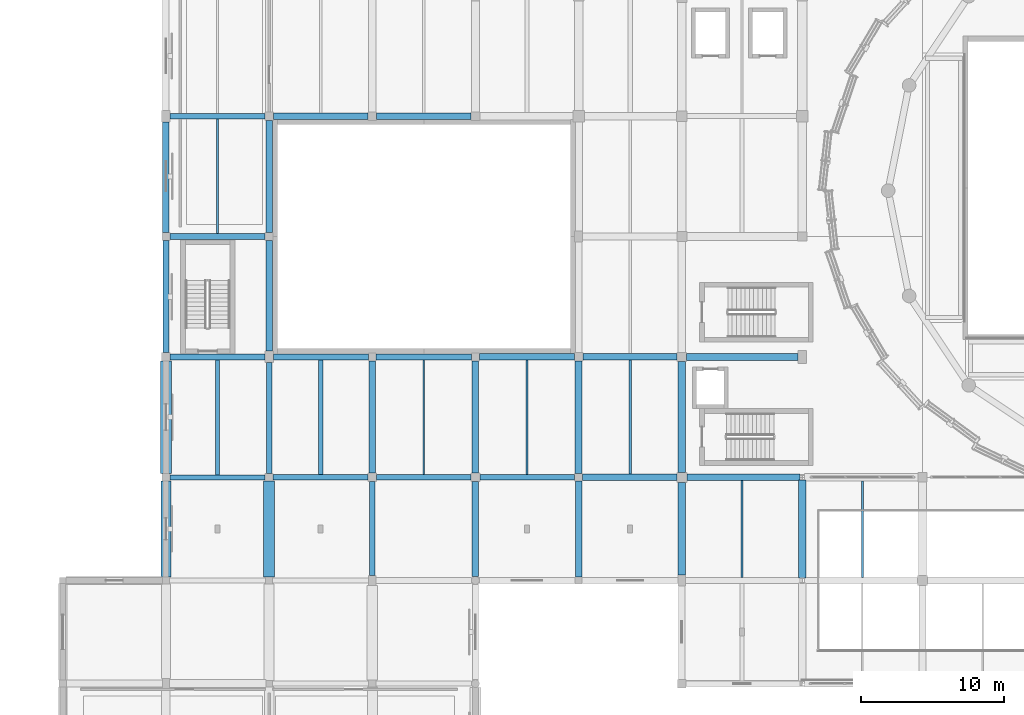
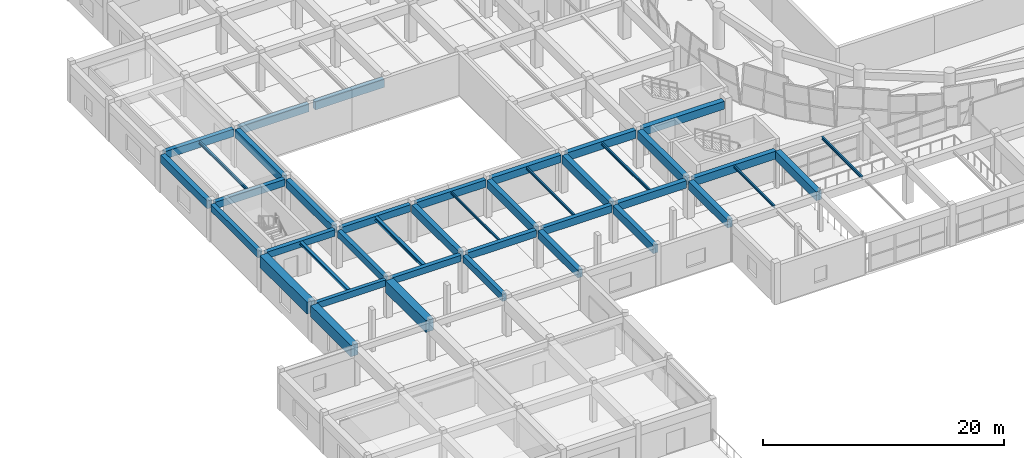
# One storey, part 12 of 71: 41 beams.
"""IFC4 building model written with IfcOpenShell, lengths in metres."""

from ifc_helpers import new_model, si_unit, direction, frame, origin, origin_2d, place, context, subcontext, project, spatial, rectangle, i_section, extrude, material, material_profile, profile_set, type_object, element, save


model = new_model("IFC4")

# Units and contexts
model_context = context("Model", 3, precision=1e-05, world=origin(), true_north=direction((0.0, 1.0)))
body_context = subcontext(model_context, "Body", "Model", "MODEL_VIEW")
ifc_project = project(units=[si_unit("LENGTHUNIT", "METRE"), si_unit("AREAUNIT", "SQUARE_METRE"), si_unit("VOLUMEUNIT", "CUBIC_METRE"), si_unit("PLANEANGLEUNIT", "RADIAN"), si_unit("MASSUNIT", "GRAM", prefix="KILO")], contexts=[model_context])

# Site, building, storey
site_placement = place(None, origin())
site = spatial("IfcSite", under=ifc_project, at=site_placement, CompositionType="ELEMENT")
building_placement = place(site_placement, origin())
building = spatial("IfcBuilding", under=site, at=building_placement, Name="Korsvaeld Concert Hall", CompositionType="ELEMENT")
storey_placement = place(building_placement, frame((0.0, 0.0, 4.800048828125)))
storey = spatial("IfcBuildingStorey", under=building, at=storey_placement, Name="L01", CompositionType="ELEMENT", Elevation=4.800048828125)

# Beams
ifc_material_1 = material(Name="Concrete C35/45", Category="concrete")
ifc_material_profile_1 = material_profile(ifc_material_1, rectangle(XDim=0.35009765625, YDim=0.64990234375, at=origin_2d()), Name="RC 350x650")
ifc_profile_set_1 = profile_set([ifc_material_profile_1], Name="Concrete C35/45")
beam_type_1 = type_object("IfcBeamType", Name="BM-RC-350x650", PredefinedType="T_BEAM", material=ifc_profile_set_1)
beam_1_placement = place(storey_placement, frame((14.675048828125, 43.199951171875, 3.514892578125), z_axis=(1.0, 0.0, 0.0), x_axis=(0.0, 1.0, 0.0)))
element("IfcBeam", 1, at=beam_1_placement, inside=storey, type_object=beam_type_1, Name="Primary girder 3-4/G L01", PredefinedType="T_BEAM", context=body_context, shape_type="SweptSolid", body=[
    extrude(rectangle(XDim=0.35009765625, YDim=0.64990234375, at=origin_2d()), origin(), (0.0, 0.0, 1.0), 6.64990234375),
])
ifc_material_profile_2 = material_profile(ifc_material_1, rectangle(XDim=0.39990234375, YDim=0.64990234375, at=origin_2d()), Name="RC 400x650")
ifc_profile_set_2 = profile_set([ifc_material_profile_2], Name="Concrete C35/45")
beam_type_2 = type_object("IfcBeamType", Name="BM-RC-400x650", PredefinedType="T_BEAM", material=ifc_profile_set_2)
beam_2_placement = place(storey_placement, frame((21.875, 43.199951171875, 3.514892578125), z_axis=(1.0, 0.0, 0.0), x_axis=(0.0, 1.0, 0.0)))
element("IfcBeam", 2, at=beam_2_placement, inside=storey, type_object=beam_type_2, Name="Primary girder 4-5/G L01", PredefinedType="T_BEAM", context=body_context, shape_type="SweptSolid", body=[
    extrude(rectangle(XDim=0.39990234375, YDim=0.64990234375, at=origin_2d()), origin(), (0.0, 0.0, 1.0), 6.625),
])
beam_3_placement = place(storey_placement, frame((14.699951171875, 51.60009765625, 3.514892578125), z_axis=(1.0, 0.0, 0.0), x_axis=(0.0, 1.0, 0.0)))
element("IfcBeam", 3, at=beam_3_placement, inside=storey, type_object=beam_type_2, Name="Primary girder 3-4/H L01", PredefinedType="T_BEAM", context=body_context, shape_type="SweptSolid", body=[
    extrude(rectangle(XDim=0.39990234375, YDim=0.64990234375, at=origin_2d()), origin(), (0.0, 0.0, 1.0), 6.60009765625),
])
ifc_material_profile_3 = material_profile(ifc_material_1, rectangle(XDim=0.39990234375, YDim=0.699951171875, at=origin_2d()), Name="RC 400x700")
ifc_profile_set_3 = profile_set([ifc_material_profile_3], Name="Concrete C35/45")
beam_type_3 = type_object("IfcBeamType", Name="BM-RC-400x700", PredefinedType="T_BEAM", material=ifc_profile_set_3)
beam_4_placement = place(storey_placement, frame((29.10009765625, 43.199951171875, 3.489990234375), z_axis=(1.0, 0.0, 0.0), x_axis=(0.0, 1.0, 0.0)))
element("IfcBeam", 4, at=beam_4_placement, inside=storey, type_object=beam_type_3, Name="Primary girder 5-6/G L01", PredefinedType="T_BEAM", context=body_context, shape_type="SweptSolid", body=[
    extrude(rectangle(XDim=0.39990234375, YDim=0.699951171875, at=origin_2d()), origin(), (0.0, 0.0, 1.0), 6.599853515625),
])
beam_5_placement = place(storey_placement, frame((21.89990234375, 51.60009765625, 3.489990234375), z_axis=(1.0, 0.0, 0.0), x_axis=(0.0, 1.0, 0.0)))
element("IfcBeam", 5, at=beam_5_placement, inside=storey, type_object=beam_type_3, Name="Primary girder 4-5/H L01", PredefinedType="T_BEAM", context=body_context, shape_type="SweptSolid", body=[
    extrude(rectangle(XDim=0.39990234375, YDim=0.699951171875, at=origin_2d()), origin(), (0.0, 0.0, 1.0), 6.625),
])
beam_6_placement = place(storey_placement, frame((14.675048828125, 60.0, 3.489990234375), z_axis=(1.0, 0.0, 0.0), x_axis=(0.0, 1.0, 0.0)))
element("IfcBeam", 6, at=beam_6_placement, inside=storey, type_object=beam_type_3, Name="Primary girder 3-4/J L01", PredefinedType="T_BEAM", context=body_context, shape_type="SweptSolid", body=[
    extrude(rectangle(XDim=0.39990234375, YDim=0.699951171875, at=origin_2d()), origin(), (0.0, 0.0, 1.0), 6.64990234375),
])
beam_7_placement = place(storey_placement, frame((14.39990234375, 51.89990234375, 3.489990234375), z_axis=(0.0, 1.0, 0.0), x_axis=(-1.0, 0.0, 0.0)))
element("IfcBeam", 7, at=beam_7_placement, inside=storey, type_object=beam_type_3, Name="Primary girder 3/H-J L01", PredefinedType="T_BEAM", context=body_context, shape_type="SweptSolid", body=[
    extrude(rectangle(XDim=0.39990234375, YDim=0.699951171875, at=origin_2d()), origin(), (0.0, 0.0, 1.0), 7.8251953125),
])
beam_8_placement = place(storey_placement, frame((21.60009765625, 43.47509765625, 3.489990234375), z_axis=(0.0, 1.0, 0.0), x_axis=(-1.0, 0.0, 0.0)))
element("IfcBeam", 8, at=beam_8_placement, inside=storey, type_object=beam_type_3, Name="Primary girder 4/G-H L01", PredefinedType="T_BEAM", context=body_context, shape_type="SweptSolid", body=[
    extrude(rectangle(XDim=0.39990234375, YDim=0.699951171875, at=origin_2d()), origin(), (0.0, 0.0, 1.0), 7.724853515625),
])
beam_9_placement = place(storey_placement, frame((28.800048828125, 36.35009765625, 3.489990234375), z_axis=(0.0, 1.0, 0.0), x_axis=(-1.0, 0.0, 0.0)))
element("IfcBeam", 9, at=beam_9_placement, inside=storey, type_object=beam_type_3, Name="Primary girder 5/F-G L01", PredefinedType="T_BEAM", context=body_context, shape_type="SweptSolid", body=[
    extrude(rectangle(XDim=0.39990234375, YDim=0.699951171875, at=origin_2d()), origin(), (0.0, 0.0, 1.0), 6.5498046875),
])
ifc_material_profile_4 = material_profile(ifc_material_1, rectangle(XDim=0.39990234375, YDim=0.75, at=origin_2d()), Name="RC 400x750")
ifc_profile_set_4 = profile_set([ifc_material_profile_4], Name="Concrete C35/45")
beam_type_4 = type_object("IfcBeamType", Name="BM-RC-400x750", PredefinedType="T_BEAM", material=ifc_profile_set_4)
beam_10_placement = place(storey_placement, frame((36.300048828125, 43.199951171875, 3.46484375), z_axis=(1.0, 0.0, 0.0), x_axis=(0.0, 1.0, 0.0)))
element("IfcBeam", 10, at=beam_10_placement, inside=storey, type_object=beam_type_4, Name="Primary girder 6-7/G L01", PredefinedType="T_BEAM", context=body_context, shape_type="SweptSolid", body=[
    extrude(rectangle(XDim=0.39990234375, YDim=0.75, at=origin_2d()), origin(), (0.0, 0.0, 1.0), 6.625),
])
beam_11_placement = place(storey_placement, frame((29.074951171875, 51.60009765625, 3.46484375), z_axis=(1.0, 0.0, 0.0), x_axis=(0.0, 1.0, 0.0)))
element("IfcBeam", 11, at=beam_11_placement, inside=storey, type_object=beam_type_4, Name="Primary girder 5-6/H L01", PredefinedType="T_BEAM", context=body_context, shape_type="SweptSolid", body=[
    extrude(rectangle(XDim=0.39990234375, YDim=0.75, at=origin_2d()), origin(), (0.0, 0.0, 1.0), 6.650146484375),
])
beam_12_placement = place(storey_placement, frame((14.699951171875, 68.39990234375, 3.46484375), z_axis=(1.0, 0.0, 0.0), x_axis=(0.0, 1.0, 0.0)))
element("IfcBeam", 12, at=beam_12_placement, inside=storey, type_object=beam_type_4, Name="Primary girder 3-4/K L01", PredefinedType="T_BEAM", context=body_context, shape_type="SweptSolid", body=[
    extrude(rectangle(XDim=0.39990234375, YDim=0.75, at=origin_2d()), origin(), (0.0, 0.0, 1.0), 6.60009765625),
])
ifc_material_profile_5 = material_profile(ifc_material_1, rectangle(XDim=0.449951171875, YDim=0.75, at=origin_2d()), Name="RC 450x750")
ifc_profile_set_5 = profile_set([ifc_material_profile_5], Name="Concrete C35/45")
beam_type_5 = type_object("IfcBeamType", Name="BM-RC-450x750", PredefinedType="T_BEAM", material=ifc_profile_set_5)
beam_13_placement = place(storey_placement, frame((43.47509765625, 43.199951171875, 3.46484375), z_axis=(1.0, 0.0, 0.0), x_axis=(0.0, 1.0, 0.0)))
element("IfcBeam", 13, at=beam_13_placement, inside=storey, type_object=beam_type_5, Name="Primary girder 7-8/G L01", PredefinedType="T_BEAM", context=body_context, shape_type="SweptSolid", body=[
    extrude(rectangle(XDim=0.449951171875, YDim=0.75, at=origin_2d()), origin(), (0.0, 0.0, 1.0), 6.574951171875),
])
beam_14_placement = place(storey_placement, frame((36.27490234375, 51.60009765625, 3.46484375), z_axis=(1.0, 0.0, 0.0), x_axis=(0.0, 1.0, 0.0)))
element("IfcBeam", 14, at=beam_14_placement, inside=storey, type_object=beam_type_5, Name="Primary girder 6-7/H L01", PredefinedType="T_BEAM", context=body_context, shape_type="SweptSolid", body=[
    extrude(rectangle(XDim=0.449951171875, YDim=0.75, at=origin_2d()), origin(), (0.0, 0.0, 1.0), 6.625),
])
beam_15_placement = place(storey_placement, frame((21.89990234375, 68.39990234375, 3.46484375), z_axis=(1.0, 0.0, 0.0), x_axis=(0.0, 1.0, 0.0)))
element("IfcBeam", 15, at=beam_15_placement, inside=storey, type_object=beam_type_5, Name="Primary girder 4-5/K L01", PredefinedType="T_BEAM", context=body_context, shape_type="SweptSolid", body=[
    extrude(rectangle(XDim=0.449951171875, YDim=0.75, at=origin_2d()), origin(), (0.0, 0.0, 1.0), 6.60009765625),
])
ifc_material_profile_6 = material_profile(ifc_material_1, rectangle(XDim=0.449951171875, YDim=0.800048828125, at=origin_2d()), Name="RC 450x800")
ifc_profile_set_6 = profile_set([ifc_material_profile_6], Name="Concrete C35/45")
beam_type_6 = type_object("IfcBeamType", Name="BM-RC-450x800", PredefinedType="T_BEAM", material=ifc_profile_set_6)
beam_16_placement = place(storey_placement, frame((50.75, 43.199951171875, 3.43994140625), z_axis=(1.0, 0.0, 0.0), x_axis=(0.0, 1.0, 0.0)))
element("IfcBeam", 16, at=beam_16_placement, inside=storey, type_object=beam_type_6, Name="Primary girder 8-9/G L01", PredefinedType="T_BEAM", context=body_context, shape_type="SweptSolid", body=[
    extrude(rectangle(XDim=0.449951171875, YDim=0.800048828125, at=origin_2d()), origin(), (0.0, 0.0, 1.0), 7.89990234375),
])
beam_17_placement = place(storey_placement, frame((43.5, 51.60009765625, 3.43994140625), z_axis=(1.0, 0.0, 0.0), x_axis=(0.0, 1.0, 0.0)))
element("IfcBeam", 17, at=beam_17_placement, inside=storey, type_object=beam_type_6, Name="Primary girder 7-8/H L01", PredefinedType="T_BEAM", context=body_context, shape_type="SweptSolid", body=[
    extrude(rectangle(XDim=0.449951171875, YDim=0.800048828125, at=origin_2d()), origin(), (0.0, 0.0, 1.0), 6.574951171875),
])
beam_18_placement = place(storey_placement, frame((29.10009765625, 68.39990234375, 3.43994140625), z_axis=(1.0, 0.0, 0.0), x_axis=(0.0, 1.0, 0.0)))
element("IfcBeam", 18, at=beam_18_placement, inside=storey, type_object=beam_type_6, Name="Primary girder 5-6/K L01", PredefinedType="T_BEAM", context=body_context, shape_type="SweptSolid", body=[
    extrude(rectangle(XDim=0.449951171875, YDim=0.800048828125, at=origin_2d()), origin(), (0.0, 0.0, 1.0), 6.599853515625),
])
for number, where, z_axis, x_axis, name in (
    (19, (14.39990234375, 60.27490234375, 3.43994140625), (0.0, 1.0, 0.0), (-1.0, 0.0, 0.0), "Primary girder 3/J-K L01"),
    (20, (21.60009765625, 52.0, 3.43994140625), (0.0, 1.0, 0.0), (-1.0, 0.0, 0.0), "Primary girder 4/H-J L01"),
):
    element("IfcBeam", number, at=place(storey_placement, frame(where, z_axis=z_axis, x_axis=x_axis)), inside=storey, type_object=beam_type_6, Name=name, PredefinedType="T_BEAM", context=body_context, shape_type="SweptSolid", body=[
        extrude(rectangle(XDim=0.449951171875, YDim=0.800048828125, at=origin_2d()), origin(), (0.0, 0.0, 1.0), 7.72509765625),
    ])
beam_19_placement = place(storey_placement, frame((28.800048828125, 43.5, 3.43994140625), z_axis=(0.0, 1.0, 0.0), x_axis=(-1.0, 0.0, 0.0)))
element("IfcBeam", 21, at=beam_19_placement, inside=storey, type_object=beam_type_6, Name="Primary girder 5/G-H L01", PredefinedType="T_BEAM", context=body_context, shape_type="SweptSolid", body=[
    extrude(rectangle(XDim=0.449951171875, YDim=0.800048828125, at=origin_2d()), origin(), (0.0, 0.0, 1.0), 7.824951171875),
])
beam_20_placement = place(storey_placement, frame((36.0, 36.27490234375, 3.43994140625), z_axis=(0.0, 1.0, 0.0), x_axis=(-1.0, 0.0, 0.0)))
element("IfcBeam", 22, at=beam_20_placement, inside=storey, type_object=beam_type_6, Name="Primary girder 6/F-G L01", PredefinedType="T_BEAM", context=body_context, shape_type="SweptSolid", body=[
    extrude(rectangle(XDim=0.449951171875, YDim=0.800048828125, at=origin_2d()), origin(), (0.0, 0.0, 1.0), 6.625),
])
ifc_material_2 = material(Name="Concrete C40/50", Category="concrete")
ifc_material_profile_7 = material_profile(ifc_material_2, rectangle(XDim=0.449951171875, YDim=0.85009765625, at=origin_2d()), Name="RC 450x850")
ifc_profile_set_7 = profile_set([ifc_material_profile_7], Name="Concrete C40/50")
beam_type_7 = type_object("IfcBeamType", Name="BM-RC-450x850", PredefinedType="T_BEAM", material=ifc_profile_set_7)
beam_21_placement = place(storey_placement, frame((21.60009765625, 60.27490234375, 3.4150390625), z_axis=(0.0, 1.0, 0.0), x_axis=(-1.0, 0.0, 0.0)))
element("IfcBeam", 23, at=beam_21_placement, inside=storey, type_object=beam_type_7, Name="Primary girder 4/J-K L01", PredefinedType="T_BEAM", context=body_context, shape_type="SweptSolid", body=[
    extrude(rectangle(XDim=0.449951171875, YDim=0.85009765625, at=origin_2d()), origin(), (0.0, 0.0, 1.0), 7.8251953125),
])
beam_22_placement = place(storey_placement, frame((36.0, 43.5, 3.4150390625), z_axis=(0.0, 1.0, 0.0), x_axis=(-1.0, 0.0, 0.0)))
element("IfcBeam", 24, at=beam_22_placement, inside=storey, type_object=beam_type_7, Name="Primary girder 6/G-H L01", PredefinedType="T_BEAM", context=body_context, shape_type="SweptSolid", body=[
    extrude(rectangle(XDim=0.449951171875, YDim=0.85009765625, at=origin_2d()), origin(), (0.0, 0.0, 1.0), 7.824951171875),
])
beam_23_placement = place(storey_placement, frame((43.199951171875, 36.25, 3.4150390625), z_axis=(0.0, 1.0, 0.0), x_axis=(-1.0, 0.0, 0.0)))
element("IfcBeam", 25, at=beam_23_placement, inside=storey, type_object=beam_type_7, Name="Primary girder 7/F-G L01", PredefinedType="T_BEAM", context=body_context, shape_type="SweptSolid", body=[
    extrude(rectangle(XDim=0.449951171875, YDim=0.85009765625, at=origin_2d()), origin(), (0.0, 0.0, 1.0), 6.675048828125),
])
ifc_material_profile_8 = material_profile(ifc_material_2, rectangle(XDim=0.5, YDim=0.800048828125, at=origin_2d()), Name="RC 500x800")
ifc_profile_set_8 = profile_set([ifc_material_profile_8], Name="Concrete C40/50")
beam_type_8 = type_object("IfcBeamType", Name="BM-RC-500x800", PredefinedType="T_BEAM", material=ifc_profile_set_8)
beam_24_placement = place(storey_placement, frame((50.72509765625, 51.60009765625, 3.43994140625), z_axis=(1.0, 0.0, 0.0), x_axis=(0.0, 1.0, 0.0)))
element("IfcBeam", 26, at=beam_24_placement, inside=storey, type_object=beam_type_8, Name="Primary girder 8-9/H L01", PredefinedType="T_BEAM", context=body_context, shape_type="SweptSolid", body=[
    extrude(rectangle(XDim=0.5, YDim=0.800048828125, at=origin_2d()), origin(), (0.0, 0.0, 1.0), 7.77490234375),
])
ifc_material_profile_9 = material_profile(ifc_material_2, rectangle(XDim=0.5, YDim=0.85009765625, at=origin_2d()), Name="RC 500x850")
ifc_profile_set_9 = profile_set([ifc_material_profile_9], Name="Concrete C40/50")
beam_type_9 = type_object("IfcBeamType", Name="BM-RC-500x850", PredefinedType="T_BEAM", material=ifc_profile_set_9)
beam_25_placement = place(storey_placement, frame((43.199951171875, 43.47509765625, 3.4150390625), z_axis=(0.0, 1.0, 0.0), x_axis=(-1.0, 0.0, 0.0)))
element("IfcBeam", 27, at=beam_25_placement, inside=storey, type_object=beam_type_9, Name="Primary girder 7/G-H L01", PredefinedType="T_BEAM", context=body_context, shape_type="SweptSolid", body=[
    extrude(rectangle(XDim=0.5, YDim=0.85009765625, at=origin_2d()), origin(), (0.0, 0.0, 1.0), 7.824951171875),
])
beam_26_placement = place(storey_placement, frame((50.39990234375, 36.375, 3.4150390625), z_axis=(0.0, 1.0, 0.0), x_axis=(-1.0, 0.0, 0.0)))
element("IfcBeam", 28, at=beam_26_placement, inside=storey, type_object=beam_type_9, Name="Primary girder 8/F-G L01", PredefinedType="T_BEAM", context=body_context, shape_type="SweptSolid", body=[
    extrude(rectangle(XDim=0.5, YDim=0.85009765625, at=origin_2d()), origin(), (0.0, 0.0, 1.0), 6.47509765625),
])
ifc_material_profile_10 = material_profile(ifc_material_2, rectangle(XDim=0.5, YDim=0.89990234375, at=origin_2d()), Name="RC 500x900")
ifc_profile_set_10 = profile_set([ifc_material_profile_10], Name="Concrete C40/50")
beam_type_10 = type_object("IfcBeamType", Name="BM-RC-500x900", PredefinedType="T_BEAM", material=ifc_profile_set_10)
beam_27_placement = place(storey_placement, frame((50.39990234375, 43.550048828125, 3.389892578125), z_axis=(0.0, 1.0, 0.0), x_axis=(-1.0, 0.0, 0.0)))
element("IfcBeam", 29, at=beam_27_placement, inside=storey, type_object=beam_type_10, Name="Primary girder 8/G-H L01", PredefinedType="T_BEAM", context=body_context, shape_type="SweptSolid", body=[
    extrude(rectangle(XDim=0.5, YDim=0.89990234375, at=origin_2d()), origin(), (0.0, 0.0, 1.0), 7.724853515625),
])
beam_28_placement = place(storey_placement, frame((58.800048828125, 36.179931640625, 3.389892578125), z_axis=(0.0, 1.0, 0.0), x_axis=(-1.0, 0.0, 0.0)))
element("IfcBeam", 30, at=beam_28_placement, inside=storey, type_object=beam_type_10, Name="Primary girder 9/F-G L01", PredefinedType="T_BEAM", context=body_context, shape_type="SweptSolid", body=[
    extrude(rectangle(XDim=0.5, YDim=0.89990234375, at=origin_2d()), origin(), (0.0, 0.0, 1.0), 6.840087890625),
])
ifc_material_profile_11 = material_profile(ifc_material_2, rectangle(XDim=0.699951171875, YDim=1.14990234375, at=origin_2d()), Name="RC 700x1150")
ifc_profile_set_11 = profile_set([ifc_material_profile_11], Name="Concrete C40/50")
beam_type_11 = type_object("IfcBeamType", Name="BM-RC-700x1150", PredefinedType="T_BEAM", material=ifc_profile_set_11)
beam_29_placement = place(storey_placement, frame((14.39990234375, 36.25, 3.264892578125), z_axis=(0.0, 1.0, 0.0), x_axis=(-1.0, 0.0, 0.0)))
element("IfcBeam", 31, at=beam_29_placement, inside=storey, type_object=beam_type_11, Name="Primary girder 3/F-G L01", PredefinedType="T_BEAM", context=body_context, shape_type="SweptSolid", body=[
    extrude(rectangle(XDim=0.699951171875, YDim=1.14990234375, at=origin_2d()), origin(), (0.0, 0.0, 1.0), 6.675048828125),
])
ifc_material_profile_12 = material_profile(ifc_material_2, rectangle(XDim=0.75, YDim=1.199951171875, at=origin_2d()), Name="RC 750x1200")
ifc_profile_set_12 = profile_set([ifc_material_profile_12], Name="Concrete C40/50")
beam_type_12 = type_object("IfcBeamType", Name="BM-RC-750x1200", PredefinedType="T_BEAM", material=ifc_profile_set_12)
beam_30_placement = place(storey_placement, frame((14.39990234375, 43.47509765625, 3.239990234375), z_axis=(0.0, 1.0, 0.0), x_axis=(-1.0, 0.0, 0.0)))
element("IfcBeam", 32, at=beam_30_placement, inside=storey, type_object=beam_type_12, Name="Primary girder 3/G-H L01", PredefinedType="T_BEAM", context=body_context, shape_type="SweptSolid", body=[
    extrude(rectangle(XDim=0.75, YDim=1.199951171875, at=origin_2d()), origin(), (0.0, 0.0, 1.0), 7.824951171875),
])
beam_31_placement = place(storey_placement, frame((21.60009765625, 36.25, 3.239990234375), z_axis=(0.0, 1.0, 0.0), x_axis=(-1.0, 0.0, 0.0)))
element("IfcBeam", 33, at=beam_31_placement, inside=storey, type_object=beam_type_12, Name="Primary girder 4/F-G L01", PredefinedType="T_BEAM", context=body_context, shape_type="SweptSolid", body=[
    extrude(rectangle(XDim=0.75, YDim=1.199951171875, at=origin_2d()), origin(), (0.0, 0.0, 1.0), 6.675048828125),
])
ifc_material_3 = material(Name="Steel S355J2", Category="steel")
ifc_material_profile_13 = material_profile(ifc_material_3, i_section(OverallWidth=0.280029296875, OverallDepth=0.27001953125, WebThickness=0.008056640625, FlangeThickness=0.012939453125, FilletRadius=0.02392578125, at=origin_2d()), Name="HEA 280")
ifc_profile_set_13 = profile_set([ifc_material_profile_13], Name="Steel S355J2")
beam_type_13 = type_object("IfcBeamType", Name="BM-STL-HEA280", PredefinedType="BEAM", material=ifc_profile_set_13)
beam_32_placement = place(storey_placement, frame((18.0, 43.375, 3.704833984375), z_axis=(0.0, 1.0, 0.0), x_axis=(-1.0, 0.0, 0.0)))
element("IfcBeam", 34, at=beam_32_placement, inside=storey, type_object=beam_type_13, Name="Secondary steel floor beam 3-4/G L01", PredefinedType="BEAM", context=body_context, shape_type="SweptSolid", body=[
    extrude(i_section(OverallWidth=0.280029296875, OverallDepth=0.27001953125, WebThickness=0.008056640625, FlangeThickness=0.012939453125, FilletRadius=0.02392578125, at=origin_2d()), origin(), (0.0, 0.0, 1.0), 8.02490234375),
])
ifc_material_profile_14 = material_profile(ifc_material_3, i_section(OverallWidth=0.300048828125, OverallDepth=0.35009765625, WebThickness=0.010009765625, FlangeThickness=0.017578125, FilletRadius=0.027099609375, at=origin_2d()), Name="HEA 360")
ifc_profile_set_14 = profile_set([ifc_material_profile_14], Name="Steel S355J2")
beam_type_14 = type_object("IfcBeamType", Name="BM-STL-HEA360", PredefinedType="BEAM", material=ifc_profile_set_14)
beam_33_placement = place(storey_placement, frame((25.199951171875, 43.39990234375, 3.6650390625), z_axis=(0.0, 1.0, 0.0), x_axis=(-1.0, 0.0, 0.0)))
element("IfcBeam", 35, at=beam_33_placement, inside=storey, type_object=beam_type_14, Name="Secondary steel floor beam 4-5/G L01", PredefinedType="BEAM", context=body_context, shape_type="SweptSolid", body=[
    extrude(i_section(OverallWidth=0.300048828125, OverallDepth=0.35009765625, WebThickness=0.010009765625, FlangeThickness=0.017578125, FilletRadius=0.027099609375, at=origin_2d()), origin(), (0.0, 0.0, 1.0), 8.0),
])
ifc_material_profile_15 = material_profile(ifc_material_3, i_section(OverallWidth=0.1201171875, OverallDepth=0.239990234375, WebThickness=0.006103515625, FlangeThickness=0.009765625, FilletRadius=0.014892578125, at=origin_2d()), Name="IPE 240")
ifc_profile_set_15 = profile_set([ifc_material_profile_15], Name="Steel S355J2")
beam_type_15 = type_object("IfcBeamType", Name="BM-STL-IPE240", PredefinedType="JOIST", material=ifc_profile_set_15)
beam_34_placement = place(storey_placement, frame((32.39990234375, 43.39990234375, 3.719970703125), z_axis=(0.0, 1.0, 0.0), x_axis=(-1.0, 0.0, 0.0)))
element("IfcBeam", 36, at=beam_34_placement, inside=storey, type_object=beam_type_15, Name="Secondary steel floor beam 5-6/G L01", PredefinedType="JOIST", context=body_context, shape_type="SweptSolid", body=[
    extrude(i_section(OverallWidth=0.1201171875, OverallDepth=0.239990234375, WebThickness=0.006103515625, FlangeThickness=0.009765625, FilletRadius=0.014892578125, at=origin_2d()), origin(), (0.0, 0.0, 1.0), 8.0),
])
ifc_material_profile_16 = material_profile(ifc_material_3, i_section(OverallWidth=0.135009765625, OverallDepth=0.27001953125, WebThickness=0.006591796875, FlangeThickness=0.01025390625, FilletRadius=0.014892578125, at=origin_2d()), Name="IPE 270")
ifc_profile_set_16 = profile_set([ifc_material_profile_16], Name="Steel S355J2")
beam_type_16 = type_object("IfcBeamType", Name="BM-STL-IPE270", PredefinedType="JOIST", material=ifc_profile_set_16)
beam_35_placement = place(storey_placement, frame((39.60009765625, 43.39990234375, 3.704833984375), z_axis=(0.0, 1.0, 0.0), x_axis=(-1.0, 0.0, 0.0)))
element("IfcBeam", 37, at=beam_35_placement, inside=storey, type_object=beam_type_16, Name="Secondary steel floor beam 6-7/G L01", PredefinedType="JOIST", context=body_context, shape_type="SweptSolid", body=[
    extrude(i_section(OverallWidth=0.135009765625, OverallDepth=0.27001953125, WebThickness=0.006591796875, FlangeThickness=0.01025390625, FilletRadius=0.014892578125, at=origin_2d()), origin(), (0.0, 0.0, 1.0), 7.97509765625),
])
beam_36_placement = place(storey_placement, frame((54.60009765625, 36.22509765625, 3.704833984375), z_axis=(0.0, 1.0, 0.0), x_axis=(-1.0, 0.0, 0.0)))
element("IfcBeam", 38, at=beam_36_placement, inside=storey, type_object=beam_type_16, Name="Secondary steel floor beam 8-9/F L01", PredefinedType="JOIST", context=body_context, shape_type="SweptSolid", body=[
    extrude(i_section(OverallWidth=0.135009765625, OverallDepth=0.27001953125, WebThickness=0.006591796875, FlangeThickness=0.01025390625, FilletRadius=0.014892578125, at=origin_2d()), origin(), (0.0, 0.0, 1.0), 6.75),
])
ifc_material_profile_17 = material_profile(ifc_material_3, i_section(OverallWidth=0.14990234375, OverallDepth=0.300048828125, WebThickness=0.007080078125, FlangeThickness=0.0107421875, FilletRadius=0.014892578125, at=origin_2d()), Name="IPE 300")
ifc_profile_set_17 = profile_set([ifc_material_profile_17], Name="Steel S355J2")
beam_type_17 = type_object("IfcBeamType", Name="BM-STL-IPE300", PredefinedType="JOIST", material=ifc_profile_set_17)
beam_37_placement = place(storey_placement, frame((18.0, 60.199951171875, 3.68994140625), z_axis=(0.0, 1.0, 0.0), x_axis=(-1.0, 0.0, 0.0)))
element("IfcBeam", 39, at=beam_37_placement, inside=storey, type_object=beam_type_17, Name="Secondary steel floor beam 3-4/J L01", PredefinedType="JOIST", context=body_context, shape_type="SweptSolid", body=[
    extrude(i_section(OverallWidth=0.14990234375, OverallDepth=0.300048828125, WebThickness=0.007080078125, FlangeThickness=0.0107421875, FilletRadius=0.014892578125, at=origin_2d()), origin(), (0.0, 0.0, 1.0), 8.0),
])
beam_38_placement = place(storey_placement, frame((46.800048828125, 43.425048828125, 3.68994140625), z_axis=(0.0, 1.0, 0.0), x_axis=(-1.0, 0.0, 0.0)))
element("IfcBeam", 40, at=beam_38_placement, inside=storey, type_object=beam_type_17, Name="Secondary steel floor beam 7-8/G L01", PredefinedType="JOIST", context=body_context, shape_type="SweptSolid", body=[
    extrude(i_section(OverallWidth=0.14990234375, OverallDepth=0.300048828125, WebThickness=0.007080078125, FlangeThickness=0.0107421875, FilletRadius=0.014892578125, at=origin_2d()), origin(), (0.0, 0.0, 1.0), 7.949951171875),
])
beam_39_placement = place(storey_placement, frame((63.0, 36.22509765625, 3.68994140625), z_axis=(0.0, 1.0, 0.0), x_axis=(-1.0, 0.0, 0.0)))
element("IfcBeam", 41, at=beam_39_placement, inside=storey, type_object=beam_type_17, Name="Secondary steel floor beam 9-10/F L01", PredefinedType="JOIST", context=body_context, shape_type="SweptSolid", body=[
    extrude(i_section(OverallWidth=0.14990234375, OverallDepth=0.300048828125, WebThickness=0.007080078125, FlangeThickness=0.0107421875, FilletRadius=0.014892578125, at=origin_2d()), origin(), (0.0, 0.0, 1.0), 6.724853515625),
])

save(model, "model.ifc")
